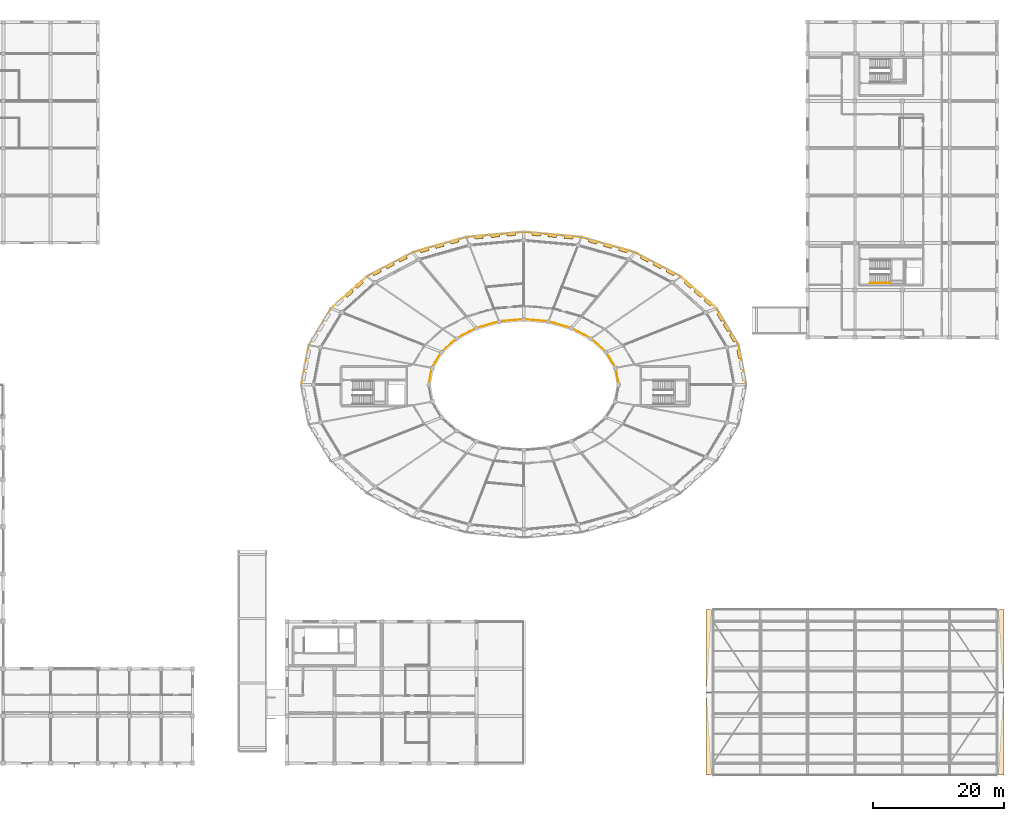
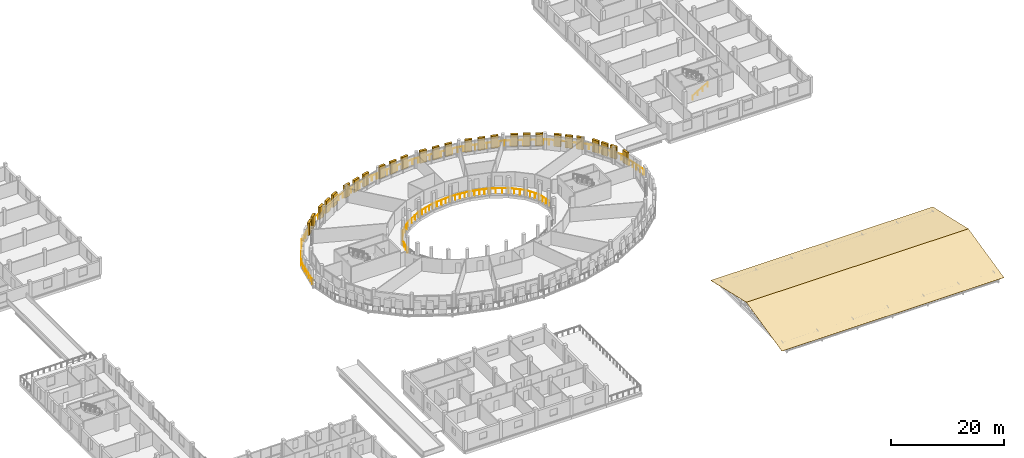
# One storey, part 92 of 93: 27 shading devices, 5 railings, 2 coverings.
"""IFC4 building model written with IfcOpenShell, lengths in metres."""

from ifc_helpers import new_model, si_unit, direction, frame, origin, origin_2d, place, context, subcontext, project, spatial, polyline, rectangle, circle, outline, extrude, material, layer, layer_set, type_object, element, save


model = new_model("IFC4")

# Units and contexts
model_context = context("Model", 3, precision=1e-05, world=origin(), true_north=direction((0.0, 1.0)))
body_context = subcontext(model_context, "Body", "Model", "MODEL_VIEW")
ifc_project = project(units=[si_unit("LENGTHUNIT", "METRE"), si_unit("AREAUNIT", "SQUARE_METRE"), si_unit("VOLUMEUNIT", "CUBIC_METRE"), si_unit("PLANEANGLEUNIT", "RADIAN"), si_unit("MASSUNIT", "GRAM", prefix="KILO")], contexts=[model_context])

# Site, building, storey
site_placement = place(None, origin())
site = spatial("IfcSite", under=ifc_project, at=site_placement, CompositionType="ELEMENT")
building_placement = place(site_placement, origin())
building = spatial("IfcBuilding", under=site, at=building_placement, Name="Zornivar Specialist Clinic", CompositionType="ELEMENT")
storey_placement = place(building_placement, frame((0.0, 0.0, 8.39990234375)))
storey = spatial("IfcBuildingStorey", under=building, at=storey_placement, Name="L02", CompositionType="ELEMENT", Elevation=8.39990234375)

# Coverings
ifc_material_1 = material(Name="Standing-Seam Pre-Weathered Zinc Roofing")
ifc_layer = layer(ifc_material_1, 0.0400390625)
ifc_layer_set = layer_set([ifc_layer], Name="Standing-Seam Pre-Weathered Zinc Roofing")
covering_type = type_object("IfcCoveringType", Name="COV-ROOF-ZINC-40", PredefinedType="ROOFING", material=ifc_layer_set)
covering_1_placement = place(storey_placement, frame((121.320068359375, -1.800048828125, 0.0400390625), z_axis=(0.0, -0.224303713079, 0.974519288829), x_axis=(1.0, 0.0, 0.0)))
element("IfcCovering", 1, at=covering_1_placement, inside=storey, type_object=covering_type, Name="cov:V4:L02:S", PredefinedType="ROOFING", context=body_context, shape_type="SweptSolid", body=[
    extrude(outline(polyline([(0.0, 0.0), (45.35986328125, 0.0), (45.35986328125, 12.929551832057808), (0.0, 12.929551832057808), (0.0, 0.0)])), origin(), (0.0, 0.0, -1.0), 0.0400390625),
])
covering_2_placement = place(storey_placement, frame((121.320068359375, 10.800048828125, 2.940185546875), z_axis=(0.0, 0.224307840619, 0.97451833879), x_axis=(1.0, 0.0, 0.0)))
element("IfcCovering", 2, at=covering_2_placement, inside=storey, type_object=covering_type, Name="cov:V4:L02:N", PredefinedType="ROOFING", context=body_context, shape_type="SweptSolid", body=[
    extrude(outline(polyline([(0.0, 0.0), (45.35986328125, 0.0), (45.35986328125, 12.92931391242553), (0.0, 12.92931391242553), (0.0, 0.0)])), origin(), (0.0, 0.0, -1.0), 0.0400390625),
])

# Railings
ifc_material_2 = material(Name="Painted Steel and Oiled Timber Balustrade", Category="steel")
railing_type_1 = type_object("IfcRailingType", Name="GRD-EXT-BALUST-1100", PredefinedType="BALUSTRADE", material=ifc_material_2)
railing_1_placement = place(storey_placement, frame((127.4541015625, 57.62890625, 0.0)))
element("IfcRailing", 3, at=railing_1_placement, inside=storey, type_object=railing_type_1, Name="rail:V1:L02:balc:q0", PredefinedType="BALUSTRADE", context=body_context, shape_type="SweptSolid", body=[
    extrude(circle(Radius=0.02392578125, at=origin_2d()), frame((0.0, 0.0, 1.076171875), z_axis=(-0.188227386656, 0.982125476155, 0.0), x_axis=(-0.982125476155, -0.188227386656, 0.0)), (0.0, 0.0, 1.0), 6.105224609375),
    extrude(circle(Radius=0.02392578125, at=origin_2d()), frame((-1.149169921875, 5.99609375, 1.076171875), z_axis=(-0.516422508188, 0.856333926127, 0.0), x_axis=(-0.856333926127, -0.516422508188, 0.0)), (0.0, 0.0, 1.0), 6.5546875),
    extrude(circle(Radius=0.02392578125, at=origin_2d()), frame((-4.5341796875, 11.609130859375, 1.076171875), z_axis=(-0.745201542332, 0.666839306959, 0.0), x_axis=(-0.666839306959, -0.745201542332, 0.0)), (0.0, 0.0, 1.0), 7.224853515625),
    extrude(circle(Radius=0.02392578125, at=origin_2d()), frame((-9.918212890625, 16.427001953125, 1.076171875), z_axis=(-0.884811989173, 0.465948220101, 0.0), x_axis=(-0.465948220101, -0.884811989173, 0.0)), (0.0, 0.0, 1.0), 7.92822265625),
    extrude(circle(Radius=0.02392578125, at=origin_2d()), frame((-16.93310546875, 20.12109375, 1.076171875), z_axis=(-0.961942919035, 0.273250472127, 0.0), x_axis=(-0.273250472127, -0.961942919035, 0.0)), (0.0, 0.0, 1.0), 8.487060546875),
    extrude(circle(Radius=0.02392578125, at=origin_2d()), frame((-25.09716796875, 22.440185546875, 1.076171875), z_axis=(-0.995949875612, 0.089910206697, 0.0), x_axis=(-0.089910206697, -0.995949875612, 0.0)), (0.0, 0.0, 1.0), 8.762451171875),
    extrude(circle(Radius=0.02099609375, at=origin_2d()), origin(), (0.0, 0.0, 1.0), 1.052001953125),
    extrude(circle(Radius=0.02099609375, at=origin_2d()), frame((-0.19140625, 0.999267578125, 0.0)), (0.0, 0.0, 1.0), 1.052001953125),
    extrude(circle(Radius=0.02099609375, at=origin_2d()), frame((-0.383056640625, 1.998779296875, 0.0)), (0.0, 0.0, 1.0), 1.052001953125),
    extrude(circle(Radius=0.02099609375, at=origin_2d()), frame((-0.57470703125, 2.998046875, 0.0)), (0.0, 0.0, 1.0), 1.052001953125),
    extrude(circle(Radius=0.02099609375, at=origin_2d()), frame((-0.76611328125, 3.997314453125, 0.0)), (0.0, 0.0, 1.0), 1.052001953125),
    extrude(circle(Radius=0.02099609375, at=origin_2d()), frame((-0.95751953125, 4.996826171875, 0.0)), (0.0, 0.0, 1.0), 1.052001953125),
    extrude(circle(Radius=0.02099609375, at=origin_2d()), frame((-1.149169921875, 5.99609375, 0.0)), (0.0, 0.0, 1.0), 1.052001953125),
    extrude(circle(Radius=0.02099609375, at=origin_2d()), frame((-1.71337890625, 6.931640625, 0.0)), (0.0, 0.0, 1.0), 1.052001953125),
    extrude(circle(Radius=0.02099609375, at=origin_2d()), frame((-2.277587890625, 7.8671875, 0.0)), (0.0, 0.0, 1.0), 1.052001953125),
    extrude(circle(Radius=0.02099609375, at=origin_2d()), frame((-2.841796875, 8.802734375, 0.0)), (0.0, 0.0, 1.0), 1.052001953125),
    extrude(circle(Radius=0.02099609375, at=origin_2d()), frame((-3.40576171875, 9.738037109375, 0.0)), (0.0, 0.0, 1.0), 1.052001953125),
    extrude(circle(Radius=0.02099609375, at=origin_2d()), frame((-3.969970703125, 10.673583984375, 0.0)), (0.0, 0.0, 1.0), 1.052001953125),
    extrude(circle(Radius=0.02099609375, at=origin_2d()), frame((-4.5341796875, 11.609130859375, 0.0)), (0.0, 0.0, 1.0), 1.052001953125),
    extrude(circle(Radius=0.02099609375, at=origin_2d()), frame((-5.30322265625, 12.29736328125, 0.0)), (0.0, 0.0, 1.0), 1.052001953125),
    extrude(circle(Radius=0.02099609375, at=origin_2d()), frame((-6.072509765625, 12.985595703125, 0.0)), (0.0, 0.0, 1.0), 1.052001953125),
    extrude(circle(Radius=0.02099609375, at=origin_2d()), frame((-6.841552734375, 13.673828125, 0.0)), (0.0, 0.0, 1.0), 1.052001953125),
    extrude(circle(Radius=0.02099609375, at=origin_2d()), frame((-7.61083984375, 14.3623046875, 0.0)), (0.0, 0.0, 1.0), 1.052001953125),
    extrude(circle(Radius=0.02099609375, at=origin_2d()), frame((-8.3798828125, 15.050537109375, 0.0)), (0.0, 0.0, 1.0), 1.052001953125),
    extrude(circle(Radius=0.02099609375, at=origin_2d()), frame((-9.149169921875, 15.73876953125, 0.0)), (0.0, 0.0, 1.0), 1.052001953125),
    extrude(circle(Radius=0.02099609375, at=origin_2d()), frame((-9.918212890625, 16.427001953125, 0.0)), (0.0, 0.0, 1.0), 1.052001953125),
    extrude(circle(Radius=0.02099609375, at=origin_2d()), frame((-10.92041015625, 16.954833984375, 0.0)), (0.0, 0.0, 1.0), 1.052001953125),
    extrude(circle(Radius=0.02099609375, at=origin_2d()), frame((-11.92236328125, 17.482421875, 0.0)), (0.0, 0.0, 1.0), 1.052001953125),
    extrude(circle(Radius=0.02099609375, at=origin_2d()), frame((-12.924560546875, 18.01025390625, 0.0)), (0.0, 0.0, 1.0), 1.052001953125),
    extrude(circle(Radius=0.02099609375, at=origin_2d()), frame((-13.9267578125, 18.537841796875, 0.0)), (0.0, 0.0, 1.0), 1.052001953125),
    extrude(circle(Radius=0.02099609375, at=origin_2d()), frame((-14.928955078125, 19.065673828125, 0.0)), (0.0, 0.0, 1.0), 1.052001953125),
    extrude(circle(Radius=0.02099609375, at=origin_2d()), frame((-15.930908203125, 19.59326171875, 0.0)), (0.0, 0.0, 1.0), 1.052001953125),
    extrude(circle(Radius=0.02099609375, at=origin_2d()), frame((-16.93310546875, 20.12109375, 0.0)), (0.0, 0.0, 1.0), 1.052001953125),
    extrude(circle(Radius=0.02099609375, at=origin_2d()), frame((-17.95361328125, 20.410888671875, 0.0)), (0.0, 0.0, 1.0), 1.052001953125),
    extrude(circle(Radius=0.02099609375, at=origin_2d()), frame((-18.97412109375, 20.700927734375, 0.0)), (0.0, 0.0, 1.0), 1.052001953125),
    extrude(circle(Radius=0.02099609375, at=origin_2d()), frame((-19.99462890625, 20.99072265625, 0.0)), (0.0, 0.0, 1.0), 1.052001953125),
    extrude(circle(Radius=0.02099609375, at=origin_2d()), frame((-21.01513671875, 21.28076171875, 0.0)), (0.0, 0.0, 1.0), 1.052001953125),
    extrude(circle(Radius=0.02099609375, at=origin_2d()), frame((-22.03564453125, 21.570556640625, 0.0)), (0.0, 0.0, 1.0), 1.052001953125),
    extrude(circle(Radius=0.02099609375, at=origin_2d()), frame((-23.05615234375, 21.8603515625, 0.0)), (0.0, 0.0, 1.0), 1.052001953125),
    extrude(circle(Radius=0.02099609375, at=origin_2d()), frame((-24.07666015625, 22.150390625, 0.0)), (0.0, 0.0, 1.0), 1.052001953125),
    extrude(circle(Radius=0.02099609375, at=origin_2d()), frame((-25.09716796875, 22.440185546875, 0.0)), (0.0, 0.0, 1.0), 1.052001953125),
    extrude(circle(Radius=0.02099609375, at=origin_2d()), frame((-26.18798828125, 22.53857421875, 0.0)), (0.0, 0.0, 1.0), 1.052001953125),
    extrude(circle(Radius=0.02099609375, at=origin_2d()), frame((-27.27880859375, 22.63720703125, 0.0)), (0.0, 0.0, 1.0), 1.052001953125),
    extrude(circle(Radius=0.02099609375, at=origin_2d()), frame((-28.369873046875, 22.735595703125, 0.0)), (0.0, 0.0, 1.0), 1.052001953125),
    extrude(circle(Radius=0.02099609375, at=origin_2d()), frame((-29.460693359375, 22.833984375, 0.0)), (0.0, 0.0, 1.0), 1.052001953125),
    extrude(circle(Radius=0.02099609375, at=origin_2d()), frame((-30.551513671875, 22.9326171875, 0.0)), (0.0, 0.0, 1.0), 1.052001953125),
    extrude(circle(Radius=0.02099609375, at=origin_2d()), frame((-31.642578125, 23.031005859375, 0.0)), (0.0, 0.0, 1.0), 1.052001953125),
    extrude(circle(Radius=0.02099609375, at=origin_2d()), frame((-32.7333984375, 23.129638671875, 0.0)), (0.0, 0.0, 1.0), 1.052001953125),
    extrude(circle(Radius=0.02099609375, at=origin_2d()), frame((-33.82421875, 23.22802734375, 0.0)), (0.0, 0.0, 1.0), 1.052001953125),
])
railing_2_placement = place(storey_placement, frame((93.570068359375, 80.85693359375, 0.0)))
element("IfcRailing", 4, at=railing_2_placement, inside=storey, type_object=railing_type_1, Name="rail:V1:L02:balc:q1", PredefinedType="BALUSTRADE", context=body_context, shape_type="SweptSolid", body=[
    extrude(circle(Radius=0.02392578125, at=origin_2d()), frame((0.0, 0.0, 1.076171875), z_axis=(-0.995949875612, -0.089910206697, 0.0), x_axis=(0.089910206697, -0.995949875612, 0.0)), (0.0, 0.0, 1.0), 8.762451171875),
    extrude(circle(Radius=0.02392578125, at=origin_2d()), frame((-8.72705078125, -0.787841796875, 1.076171875), z_axis=(-0.961942919035, -0.273250472127, 0.0), x_axis=(0.273250472127, -0.961942919035, 0.0)), (0.0, 0.0, 1.0), 8.487060546875),
    extrude(circle(Radius=0.02392578125, at=origin_2d()), frame((-16.89111328125, -3.10693359375, 1.076171875), z_axis=(-0.884811989173, -0.465948220101, 0.0), x_axis=(0.465948220101, -0.884811989173, 0.0)), (0.0, 0.0, 1.0), 7.92822265625),
    extrude(circle(Radius=0.02392578125, at=origin_2d()), frame((-23.906005859375, -6.801025390625, 1.076171875), z_axis=(-0.745201542332, -0.666839306959, 0.0), x_axis=(0.666839306959, -0.745201542332, 0.0)), (0.0, 0.0, 1.0), 7.224853515625),
    extrude(circle(Radius=0.02392578125, at=origin_2d()), frame((-29.2900390625, -11.618896484375, 1.076171875), z_axis=(-0.516422508188, -0.856333926127, 0.0), x_axis=(0.856333926127, -0.516422508188, 0.0)), (0.0, 0.0, 1.0), 6.5546875),
    extrude(circle(Radius=0.02392578125, at=origin_2d()), frame((-32.675048828125, -17.23193359375, 1.076171875), z_axis=(-0.188188814184, -0.982132867903, 0.0), x_axis=(0.982132867903, -0.188188814184, 0.0)), (0.0, 0.0, 1.0), 6.105224609375),
    extrude(circle(Radius=0.02099609375, at=origin_2d()), origin(), (0.0, 0.0, 1.0), 1.052001953125),
    extrude(circle(Radius=0.02099609375, at=origin_2d()), frame((-1.0908203125, -0.098388671875, 0.0)), (0.0, 0.0, 1.0), 1.052001953125),
    extrude(circle(Radius=0.02099609375, at=origin_2d()), frame((-2.181640625, -0.197021484375, 0.0)), (0.0, 0.0, 1.0), 1.052001953125),
    extrude(circle(Radius=0.02099609375, at=origin_2d()), frame((-3.272705078125, -0.29541015625, 0.0)), (0.0, 0.0, 1.0), 1.052001953125),
    extrude(circle(Radius=0.02099609375, at=origin_2d()), frame((-4.363525390625, -0.39404296875, 0.0)), (0.0, 0.0, 1.0), 1.052001953125),
    extrude(circle(Radius=0.02099609375, at=origin_2d()), frame((-5.454345703125, -0.492431640625, 0.0)), (0.0, 0.0, 1.0), 1.052001953125),
    extrude(circle(Radius=0.02099609375, at=origin_2d()), frame((-6.54541015625, -0.5908203125, 0.0)), (0.0, 0.0, 1.0), 1.052001953125),
    extrude(circle(Radius=0.02099609375, at=origin_2d()), frame((-7.63623046875, -0.689453125, 0.0)), (0.0, 0.0, 1.0), 1.052001953125),
    extrude(circle(Radius=0.02099609375, at=origin_2d()), frame((-8.72705078125, -0.787841796875, 0.0)), (0.0, 0.0, 1.0), 1.052001953125),
    extrude(circle(Radius=0.02099609375, at=origin_2d()), frame((-9.74755859375, -1.07763671875, 0.0)), (0.0, 0.0, 1.0), 1.052001953125),
    extrude(circle(Radius=0.02099609375, at=origin_2d()), frame((-10.76806640625, -1.36767578125, 0.0)), (0.0, 0.0, 1.0), 1.052001953125),
    extrude(circle(Radius=0.02099609375, at=origin_2d()), frame((-11.78857421875, -1.657470703125, 0.0)), (0.0, 0.0, 1.0), 1.052001953125),
    extrude(circle(Radius=0.02099609375, at=origin_2d()), frame((-12.80908203125, -1.947265625, 0.0)), (0.0, 0.0, 1.0), 1.052001953125),
    extrude(circle(Radius=0.02099609375, at=origin_2d()), frame((-13.82958984375, -2.2373046875, 0.0)), (0.0, 0.0, 1.0), 1.052001953125),
    extrude(circle(Radius=0.02099609375, at=origin_2d()), frame((-14.85009765625, -2.527099609375, 0.0)), (0.0, 0.0, 1.0), 1.052001953125),
    extrude(circle(Radius=0.02099609375, at=origin_2d()), frame((-15.87060546875, -2.817138671875, 0.0)), (0.0, 0.0, 1.0), 1.052001953125),
    extrude(circle(Radius=0.02099609375, at=origin_2d()), frame((-16.89111328125, -3.10693359375, 0.0)), (0.0, 0.0, 1.0), 1.052001953125),
    extrude(circle(Radius=0.02099609375, at=origin_2d()), frame((-17.893310546875, -3.634765625, 0.0)), (0.0, 0.0, 1.0), 1.052001953125),
    extrude(circle(Radius=0.02099609375, at=origin_2d()), frame((-18.895263671875, -4.162353515625, 0.0)), (0.0, 0.0, 1.0), 1.052001953125),
    extrude(circle(Radius=0.02099609375, at=origin_2d()), frame((-19.8974609375, -4.690185546875, 0.0)), (0.0, 0.0, 1.0), 1.052001953125),
    extrude(circle(Radius=0.02099609375, at=origin_2d()), frame((-20.899658203125, -5.2177734375, 0.0)), (0.0, 0.0, 1.0), 1.052001953125),
    extrude(circle(Radius=0.02099609375, at=origin_2d()), frame((-21.90185546875, -5.74560546875, 0.0)), (0.0, 0.0, 1.0), 1.052001953125),
    extrude(circle(Radius=0.02099609375, at=origin_2d()), frame((-22.90380859375, -6.273193359375, 0.0)), (0.0, 0.0, 1.0), 1.052001953125),
    extrude(circle(Radius=0.02099609375, at=origin_2d()), frame((-23.906005859375, -6.801025390625, 0.0)), (0.0, 0.0, 1.0), 1.052001953125),
    extrude(circle(Radius=0.02099609375, at=origin_2d()), frame((-24.675048828125, -7.4892578125, 0.0)), (0.0, 0.0, 1.0), 1.052001953125),
    extrude(circle(Radius=0.02099609375, at=origin_2d()), frame((-25.4443359375, -8.177490234375, 0.0)), (0.0, 0.0, 1.0), 1.052001953125),
    extrude(circle(Radius=0.02099609375, at=origin_2d()), frame((-26.21337890625, -8.86572265625, 0.0)), (0.0, 0.0, 1.0), 1.052001953125),
    extrude(circle(Radius=0.02099609375, at=origin_2d()), frame((-26.982666015625, -9.55419921875, 0.0)), (0.0, 0.0, 1.0), 1.052001953125),
    extrude(circle(Radius=0.02099609375, at=origin_2d()), frame((-27.751708984375, -10.242431640625, 0.0)), (0.0, 0.0, 1.0), 1.052001953125),
    extrude(circle(Radius=0.02099609375, at=origin_2d()), frame((-28.52099609375, -10.9306640625, 0.0)), (0.0, 0.0, 1.0), 1.052001953125),
    extrude(circle(Radius=0.02099609375, at=origin_2d()), frame((-29.2900390625, -11.618896484375, 0.0)), (0.0, 0.0, 1.0), 1.052001953125),
    extrude(circle(Radius=0.02099609375, at=origin_2d()), frame((-29.854248046875, -12.554443359375, 0.0)), (0.0, 0.0, 1.0), 1.052001953125),
    extrude(circle(Radius=0.02099609375, at=origin_2d()), frame((-30.41845703125, -13.489990234375, 0.0)), (0.0, 0.0, 1.0), 1.052001953125),
    extrude(circle(Radius=0.02099609375, at=origin_2d()), frame((-30.982421875, -14.42529296875, 0.0)), (0.0, 0.0, 1.0), 1.052001953125),
    extrude(circle(Radius=0.02099609375, at=origin_2d()), frame((-31.546630859375, -15.36083984375, 0.0)), (0.0, 0.0, 1.0), 1.052001953125),
    extrude(circle(Radius=0.02099609375, at=origin_2d()), frame((-32.11083984375, -16.29638671875, 0.0)), (0.0, 0.0, 1.0), 1.052001953125),
    extrude(circle(Radius=0.02099609375, at=origin_2d()), frame((-32.675048828125, -17.23193359375, 0.0)), (0.0, 0.0, 1.0), 1.052001953125),
    extrude(circle(Radius=0.02099609375, at=origin_2d()), frame((-32.866455078125, -18.231201171875, 0.0)), (0.0, 0.0, 1.0), 1.052001953125),
    extrude(circle(Radius=0.02099609375, at=origin_2d()), frame((-33.05810546875, -19.230712890625, 0.0)), (0.0, 0.0, 1.0), 1.052001953125),
    extrude(circle(Radius=0.02099609375, at=origin_2d()), frame((-33.24951171875, -20.22998046875, 0.0)), (0.0, 0.0, 1.0), 1.052001953125),
    extrude(circle(Radius=0.02099609375, at=origin_2d()), frame((-33.44091796875, -21.229248046875, 0.0)), (0.0, 0.0, 1.0), 1.052001953125),
    extrude(circle(Radius=0.02099609375, at=origin_2d()), frame((-33.632568359375, -22.228759765625, 0.0)), (0.0, 0.0, 1.0), 1.052001953125),
    extrude(circle(Radius=0.02099609375, at=origin_2d()), frame((-33.823974609375, -23.22802734375, 0.0)), (0.0, 0.0, 1.0), 1.052001953125),
])
ifc_material_3 = material(Name="Brushed Stainless Steel Stair Guardrail", Category="steel")
railing_type_2 = type_object("IfcRailingType", Name="GRD-INT-STAIR-1100", PredefinedType="GUARDRAIL", material=ifc_material_3)
railing_3_placement = place(storey_placement, frame((108.073974609375, 57.62890625, 0.0)))
element("IfcRailing", 5, at=railing_3_placement, inside=storey, type_object=railing_type_2, Name="sg:V1:L02:atrium:q0", PredefinedType="GUARDRAIL", context=body_context, shape_type="SweptSolid", body=[
    extrude(circle(Radius=0.02392578125, at=origin_2d()), frame((0.0, 0.0, 1.076171875), z_axis=(-0.187453881852, 0.982273405004, 0.0), x_axis=(-0.982273405004, -0.187453881852, 0.0)), (0.0, 0.0, 1.0), 2.593017578125),
    extrude(circle(Radius=0.02392578125, at=origin_2d()), frame((-0.486083984375, 2.547119140625, 1.076171875), z_axis=(-0.5146109966, 0.857423770477, 0.0), x_axis=(-0.857423770477, -0.5146109966, 0.0)), (0.0, 0.0, 1.0), 2.8037109375),
    extrude(circle(Radius=0.02392578125, at=origin_2d()), frame((-1.928955078125, 4.951171875, 1.076171875), z_axis=(-0.743690964055, 0.668523559781, 0.0), x_axis=(-0.668523559781, -0.743690964055, 0.0)), (0.0, 0.0, 1.0), 3.0888671875),
    extrude(circle(Radius=0.02392578125, at=origin_2d()), frame((-4.22607421875, 7.01611328125, 1.076171875), z_axis=(-0.883356925607, 0.468700908878, 0.0), x_axis=(-0.468700908878, -0.883356925607, 0.0)), (0.0, 0.0, 1.0), 3.392578125),
    extrude(circle(Radius=0.02392578125, at=origin_2d()), frame((-7.222900390625, 8.606201171875, 1.076171875), z_axis=(-0.96120914359, 0.27582056174, 0.0), x_axis=(-0.27582056174, -0.96120914359, 0.0)), (0.0, 0.0, 1.0), 3.63623046875),
    extrude(circle(Radius=0.02392578125, at=origin_2d()), frame((-10.718017578125, 9.609130859375, 1.076171875), z_axis=(-0.995889996682, 0.090571046743, 0.0), x_axis=(-0.090571046743, -0.995889996682, 0.0)), (0.0, 0.0, 1.0), 3.741455078125),
    extrude(circle(Radius=0.02099609375, at=origin_2d()), origin(), (0.0, 0.0, 1.0), 1.052001953125),
    extrude(circle(Radius=0.02099609375, at=origin_2d()), frame((-0.162109375, 0.84912109375, 0.0)), (0.0, 0.0, 1.0), 1.052001953125),
    extrude(circle(Radius=0.02099609375, at=origin_2d()), frame((-0.323974609375, 1.697998046875, 0.0)), (0.0, 0.0, 1.0), 1.052001953125),
    extrude(circle(Radius=0.02099609375, at=origin_2d()), frame((-0.486083984375, 2.547119140625, 0.0)), (0.0, 0.0, 1.0), 1.052001953125),
    extrude(circle(Radius=0.02099609375, at=origin_2d()), frame((-0.967041015625, 3.348388671875, 0.0)), (0.0, 0.0, 1.0), 1.052001953125),
    extrude(circle(Radius=0.02099609375, at=origin_2d()), frame((-1.447998046875, 4.14990234375, 0.0)), (0.0, 0.0, 1.0), 1.052001953125),
    extrude(circle(Radius=0.02099609375, at=origin_2d()), frame((-1.928955078125, 4.951171875, 0.0)), (0.0, 0.0, 1.0), 1.052001953125),
    extrude(circle(Radius=0.02099609375, at=origin_2d()), frame((-2.694580078125, 5.639404296875, 0.0)), (0.0, 0.0, 1.0), 1.052001953125),
    extrude(circle(Radius=0.02099609375, at=origin_2d()), frame((-3.46044921875, 6.327880859375, 0.0)), (0.0, 0.0, 1.0), 1.052001953125),
    extrude(circle(Radius=0.02099609375, at=origin_2d()), frame((-4.22607421875, 7.01611328125, 0.0)), (0.0, 0.0, 1.0), 1.052001953125),
    extrude(circle(Radius=0.02099609375, at=origin_2d()), frame((-5.22509765625, 7.546142578125, 0.0)), (0.0, 0.0, 1.0), 1.052001953125),
    extrude(circle(Radius=0.02099609375, at=origin_2d()), frame((-6.223876953125, 8.076171875, 0.0)), (0.0, 0.0, 1.0), 1.052001953125),
    extrude(circle(Radius=0.02099609375, at=origin_2d()), frame((-7.222900390625, 8.606201171875, 0.0)), (0.0, 0.0, 1.0), 1.052001953125),
    extrude(circle(Radius=0.02099609375, at=origin_2d()), frame((-8.0966796875, 8.85693359375, 0.0)), (0.0, 0.0, 1.0), 1.052001953125),
    extrude(circle(Radius=0.02099609375, at=origin_2d()), frame((-8.970458984375, 9.107666015625, 0.0)), (0.0, 0.0, 1.0), 1.052001953125),
    extrude(circle(Radius=0.02099609375, at=origin_2d()), frame((-9.84423828125, 9.3583984375, 0.0)), (0.0, 0.0, 1.0), 1.052001953125),
    extrude(circle(Radius=0.02099609375, at=origin_2d()), frame((-10.718017578125, 9.609130859375, 0.0)), (0.0, 0.0, 1.0), 1.052001953125),
    extrude(circle(Radius=0.02099609375, at=origin_2d()), frame((-11.6494140625, 9.69384765625, 0.0)), (0.0, 0.0, 1.0), 1.052001953125),
    extrude(circle(Radius=0.02099609375, at=origin_2d()), frame((-12.5810546875, 9.778564453125, 0.0)), (0.0, 0.0, 1.0), 1.052001953125),
    extrude(circle(Radius=0.02099609375, at=origin_2d()), frame((-13.5126953125, 9.86328125, 0.0)), (0.0, 0.0, 1.0), 1.052001953125),
    extrude(circle(Radius=0.02099609375, at=origin_2d()), frame((-14.444091796875, 9.947998046875, 0.0)), (0.0, 0.0, 1.0), 1.052001953125),
])
railing_4_placement = place(storey_placement, frame((93.570068359375, 67.576904296875, 0.0)))
element("IfcRailing", 6, at=railing_4_placement, inside=storey, type_object=railing_type_2, Name="sg:V1:L02:atrium:q1", PredefinedType="GUARDRAIL", context=body_context, shape_type="SweptSolid", body=[
    extrude(circle(Radius=0.02392578125, at=origin_2d()), frame((0.0, 0.0, 1.076171875), z_axis=(-0.995889996682, -0.090571046743, 0.0), x_axis=(0.090571046743, -0.995889996682, 0.0)), (0.0, 0.0, 1.0), 3.741455078125),
    extrude(circle(Radius=0.02392578125, at=origin_2d()), frame((-3.72607421875, -0.3388671875, 1.076171875), z_axis=(-0.961204035112, -0.275838363691, 0.0), x_axis=(0.275838363691, -0.961204035112, 0.0)), (0.0, 0.0, 1.0), 3.635986328125),
    extrude(circle(Radius=0.02392578125, at=origin_2d()), frame((-7.220947265625, -1.341796875, 1.076171875), z_axis=(-0.883372733169, -0.468671115276, 0.0), x_axis=(0.468671115276, -0.883372733169, 0.0)), (0.0, 0.0, 1.0), 3.392822265625),
    extrude(circle(Radius=0.02392578125, at=origin_2d()), frame((-10.218017578125, -2.931884765625, 1.076171875), z_axis=(-0.743690964055, -0.668523559781, 0.0), x_axis=(0.668523559781, -0.743690964055, 0.0)), (0.0, 0.0, 1.0), 3.0888671875),
    extrude(circle(Radius=0.02392578125, at=origin_2d()), frame((-12.51513671875, -4.996826171875, 1.076171875), z_axis=(-0.5146109966, -0.857423770477, 0.0), x_axis=(0.857423770477, -0.5146109966, 0.0)), (0.0, 0.0, 1.0), 2.8037109375),
    extrude(circle(Radius=0.02392578125, at=origin_2d()), frame((-13.9580078125, -7.40087890625, 1.076171875), z_axis=(-0.187453881852, -0.982273405004, 0.0), x_axis=(0.982273405004, -0.187453881852, 0.0)), (0.0, 0.0, 1.0), 2.593017578125),
    extrude(circle(Radius=0.02099609375, at=origin_2d()), origin(), (0.0, 0.0, 1.0), 1.052001953125),
    extrude(circle(Radius=0.02099609375, at=origin_2d()), frame((-0.931640625, -0.084716796875, 0.0)), (0.0, 0.0, 1.0), 1.052001953125),
    extrude(circle(Radius=0.02099609375, at=origin_2d()), frame((-1.863037109375, -0.16943359375, 0.0)), (0.0, 0.0, 1.0), 1.052001953125),
    extrude(circle(Radius=0.02099609375, at=origin_2d()), frame((-2.79443359375, -0.254150390625, 0.0)), (0.0, 0.0, 1.0), 1.052001953125),
    extrude(circle(Radius=0.02099609375, at=origin_2d()), frame((-3.72607421875, -0.3388671875, 0.0)), (0.0, 0.0, 1.0), 1.052001953125),
    extrude(circle(Radius=0.02099609375, at=origin_2d()), frame((-4.599853515625, -0.589599609375, 0.0)), (0.0, 0.0, 1.0), 1.052001953125),
    extrude(circle(Radius=0.02099609375, at=origin_2d()), frame((-5.4736328125, -0.84033203125, 0.0)), (0.0, 0.0, 1.0), 1.052001953125),
    extrude(circle(Radius=0.02099609375, at=origin_2d()), frame((-6.34716796875, -1.091064453125, 0.0)), (0.0, 0.0, 1.0), 1.052001953125),
    extrude(circle(Radius=0.02099609375, at=origin_2d()), frame((-7.220947265625, -1.341796875, 0.0)), (0.0, 0.0, 1.0), 1.052001953125),
    extrude(circle(Radius=0.02099609375, at=origin_2d()), frame((-8.219970703125, -1.871826171875, 0.0)), (0.0, 0.0, 1.0), 1.052001953125),
    extrude(circle(Radius=0.02099609375, at=origin_2d()), frame((-9.218994140625, -2.40185546875, 0.0)), (0.0, 0.0, 1.0), 1.052001953125),
    extrude(circle(Radius=0.02099609375, at=origin_2d()), frame((-10.218017578125, -2.931884765625, 0.0)), (0.0, 0.0, 1.0), 1.052001953125),
    extrude(circle(Radius=0.02099609375, at=origin_2d()), frame((-10.983642578125, -3.6201171875, 0.0)), (0.0, 0.0, 1.0), 1.052001953125),
    extrude(circle(Radius=0.02099609375, at=origin_2d()), frame((-11.74951171875, -4.30859375, 0.0)), (0.0, 0.0, 1.0), 1.052001953125),
    extrude(circle(Radius=0.02099609375, at=origin_2d()), frame((-12.51513671875, -4.996826171875, 0.0)), (0.0, 0.0, 1.0), 1.052001953125),
    extrude(circle(Radius=0.02099609375, at=origin_2d()), frame((-12.99609375, -5.798095703125, 0.0)), (0.0, 0.0, 1.0), 1.052001953125),
    extrude(circle(Radius=0.02099609375, at=origin_2d()), frame((-13.47705078125, -6.599609375, 0.0)), (0.0, 0.0, 1.0), 1.052001953125),
    extrude(circle(Radius=0.02099609375, at=origin_2d()), frame((-13.9580078125, -7.40087890625, 0.0)), (0.0, 0.0, 1.0), 1.052001953125),
    extrude(circle(Radius=0.02099609375, at=origin_2d()), frame((-14.1201171875, -8.25, 0.0)), (0.0, 0.0, 1.0), 1.052001953125),
    extrude(circle(Radius=0.02099609375, at=origin_2d()), frame((-14.281982421875, -9.098876953125, 0.0)), (0.0, 0.0, 1.0), 1.052001953125),
    extrude(circle(Radius=0.02099609375, at=origin_2d()), frame((-14.444091796875, -9.947998046875, 0.0)), (0.0, 0.0, 1.0), 1.052001953125),
])
ifc_material_4 = material(Name="Brushed Stainless Steel Continuous Handrail", Category="steel")
railing_type_3 = type_object("IfcRailingType", Name="HRL-STAIR-0920", PredefinedType="HANDRAIL", material=ifc_material_4)
railing_5_placement = place(storey_placement, frame((146.300048828125, 73.070068359375, 0.162109375)))
element("IfcRailing", 7, at=railing_5_placement, inside=storey, type_object=railing_type_3, Name="stair:C9:L02:hr1", PredefinedType="HANDRAIL", context=body_context, shape_type="SweptSolid", body=[
    extrude(circle(Radius=0.02392578125, at=origin_2d()), frame((0.0, 0.0, 0.89599609375), z_axis=(0.864813913218, 0.0, 0.502092516877), x_axis=(0.0, 1.0, 0.0)), (0.0, 0.0, 1.0), 3.561279296875),
    extrude(circle(Radius=0.02099609375, at=origin_2d()), origin(), (0.0, 0.0, 1.0), 0.871826171875),
    extrude(circle(Radius=0.02099609375, at=origin_2d()), frame((1.026611328125, 0.0, 0.595947265625)), (0.0, 0.0, 1.0), 0.871826171875),
    extrude(circle(Radius=0.02099609375, at=origin_2d()), frame((2.05322265625, 0.0, 1.192138671875)), (0.0, 0.0, 1.0), 0.871826171875),
    extrude(circle(Radius=0.02099609375, at=origin_2d()), frame((3.079833984375, 0.0, 1.7880859375)), (0.0, 0.0, 1.0), 0.871826171875),
])

# Shading devices
ifc_material_5 = material(Name="Oiled European Larch Timber Louvre Shutter", Category="wood")
shading_device_type = type_object("IfcShadingDeviceType", Name="SHD-DRUM-SHUTTER-450", PredefinedType="SHUTTER", material=ifc_material_5)
for number, where, z_axis, x_axis, name in (
    (8, (126.373046875, 62.260986328125, 0.000244140625), (0.0, 0.0, 1.0), (-0.188098987302, 0.982150075587, 0.0), "shutter:V1:L02:c00:2"),
    (9, (125.404052734375, 64.743896484375, 0.000244140625), (0.0, 0.0, 1.0), (-0.516018019467, 0.856577727696, 0.0), "shutter:V1:L02:c01:0"),
    (10, (124.4560546875, 66.319091796875, 0.000244140625), (0.0, 0.0, 1.0), (-0.516018019467, 0.856577727696, 0.0), "shutter:V1:L02:c01:1"),
    (11, (123.507080078125, 67.89404296875, 0.000244140625), (0.0, 0.0, 1.0), (-0.516018019467, 0.856577727696, 0.0), "shutter:V1:L02:c01:2"),
    (12, (121.623046875, 70.135986328125, 0.000244140625), (0.0, 0.0, 1.0), (-0.744796712128, 0.667291433785, 0.0), "shutter:V1:L02:c02:0"),
    (13, (120.114013671875, 71.489013671875, 0.000244140625), (0.0, 0.0, 1.0), (-0.744796712128, 0.667291433785, 0.0), "shutter:V1:L02:c02:1"),
    (14, (118.60400390625, 72.841064453125, 0.000244140625), (0.0, 0.0, 1.0), (-0.744796712128, 0.667291433785, 0.0), "shutter:V1:L02:c02:2"),
    (15, (115.923095703125, 74.68408203125, 0.000244140625), (0.0, 0.0, 1.0), (-0.884469914632, 0.466597224713, 0.0), "shutter:V1:L02:c03:0"),
    (16, (113.9560546875, 75.721923828125, 0.000244140625), (0.0, 0.0, 1.0), (-0.884469914632, 0.466597224713, 0.0), "shutter:V1:L02:c03:1"),
    (17, (111.989013671875, 76.760009765625, 0.000244140625), (0.0, 0.0, 1.0), (-0.884469914632, 0.466597224713, 0.0), "shutter:V1:L02:c03:2"),
    (18, (108.69189453125, 78.068115234375, 0.000244140625), (0.0, 0.0, 1.0), (-0.961785255901, 0.273804896838, 0.0), "shutter:V1:L02:c04:0"),
    (19, (106.40087890625, 78.719970703125, 0.000244140625), (0.0, 0.0, 1.0), (-0.961785255901, 0.273804896838, 0.0), "shutter:V1:L02:c04:1"),
    (20, (104.110107421875, 79.3720703125, 0.000244140625), (0.0, 0.0, 1.0), (-0.961785255901, 0.273804896838, 0.0), "shutter:V1:L02:c04:2"),
    (21, (100.425048828125, 80.051025390625, 0.000244140625), (0.0, 0.0, 1.0), (-0.995924761284, 0.090187969607, 0.0), "shutter:V1:L02:c05:0"),
    (22, (97.967041015625, 80.27392578125, 0.000244140625), (0.0, 0.0, 1.0), (-0.995924761284, 0.090187969607, 0.0), "shutter:V1:L02:c05:1"),
    (23, (95.509033203125, 80.49609375, 0.000244140625), (0.0, 0.0, 1.0), (-0.995924761284, 0.090187969607, 0.0), "shutter:V1:L02:c05:2"),
    (24, (91.69091796875, 80.49609375, 0.000244140625), (0.0, 0.0, 1.0), (-0.995924761284, -0.090187969607, 0.0), "shutter:V1:L02:c06:0"),
    (25, (89.23291015625, 80.27392578125, 0.000244140625), (0.0, 0.0, 1.0), (-0.995924761284, -0.090187969607, 0.0), "shutter:V1:L02:c06:1"),
    (26, (86.77490234375, 80.051025390625, 0.000244140625), (0.0, 0.0, 1.0), (-0.995924761284, -0.090187969607, 0.0), "shutter:V1:L02:c06:2"),
    (27, (83.090087890625, 79.3720703125, 0.000244140625), (0.0, 0.0, 1.0), (-0.961785255901, -0.273804896838, 0.0), "shutter:V1:L02:c07:0"),
    (28, (80.799072265625, 78.719970703125, 0.000244140625), (0.0, 0.0, 1.0), (-0.961785255901, -0.273804896838, 0.0), "shutter:V1:L02:c07:1"),
    (29, (78.508056640625, 78.068115234375, 0.000244140625), (0.0, 0.0, 1.0), (-0.961785255901, -0.273804896838, 0.0), "shutter:V1:L02:c07:2"),
    (30, (75.2109375, 76.760009765625, 0.000244140625), (0.0, 0.0, 1.0), (-0.884469914632, -0.466597224713, 0.0), "shutter:V1:L02:c08:0"),
    (31, (73.243896484375, 75.721923828125, 0.000244140625), (0.0, 0.0, 1.0), (-0.884469914632, -0.466597224713, 0.0), "shutter:V1:L02:c08:1"),
    (32, (71.277099609375, 74.68408203125, 0.000244140625), (0.0, 0.0, 1.0), (-0.884469914632, -0.466597224713, 0.0), "shutter:V1:L02:c08:2"),
    (33, (68.595947265625, 72.841064453125, 0.000244140625), (0.0, 0.0, 1.0), (-0.744796712128, -0.667291433785, 0.0), "shutter:V1:L02:c09:0"),
    (34, (67.0859375, 71.489013671875, 0.000244140625), (0.0, 0.0, 1.0), (-0.744796712128, -0.667291433785, 0.0), "shutter:V1:L02:c09:1"),
):
    element("IfcShadingDevice", number, at=place(storey_placement, frame(where, z_axis=z_axis, x_axis=x_axis)), inside=storey, type_object=shading_device_type, Name=name, PredefinedType="SHUTTER", context=body_context, shape_type="SweptSolid", body=[
        extrude(rectangle(XDim=1.300048828125, YDim=0.449951171875, at=origin_2d()), origin(), (0.0, 0.0, 1.0), 2.64990234375),
    ])

save(model, "model.ifc")
